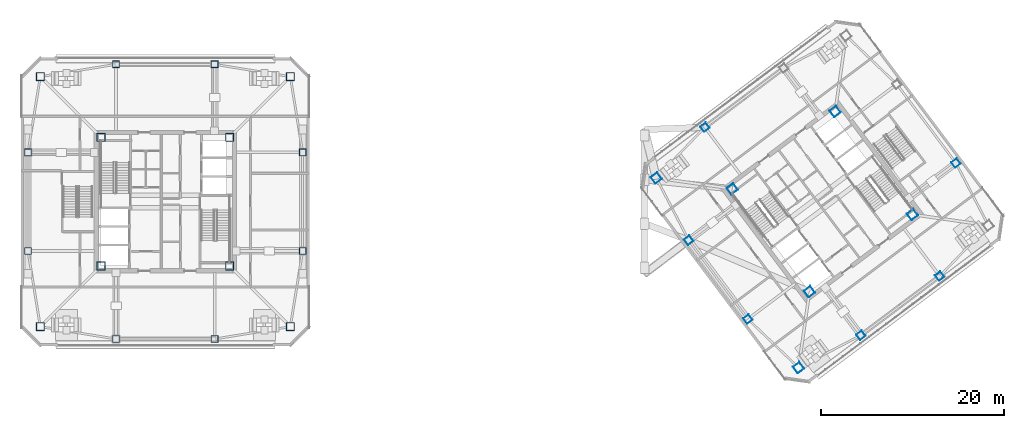
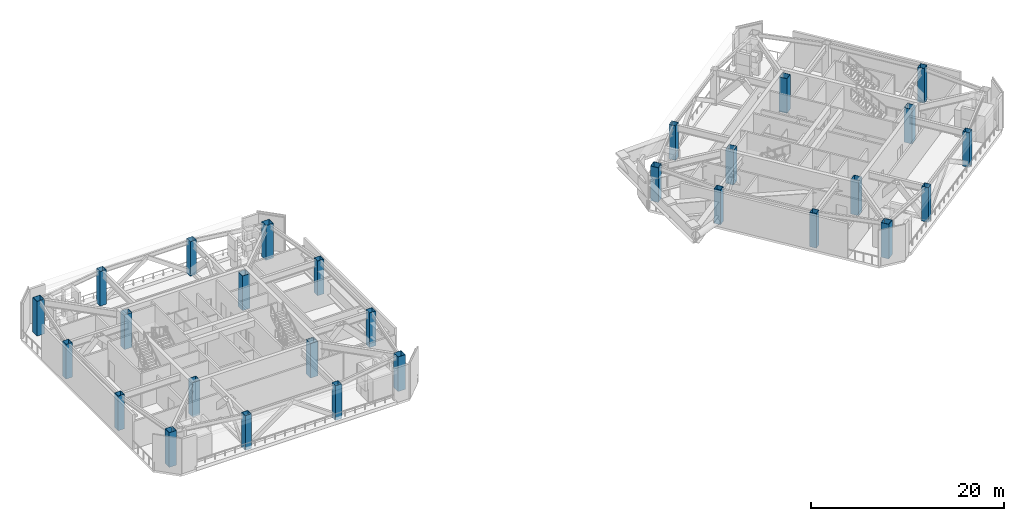
# One storey, part 1 of 15: 28 columns.
"""IFC4 building model written with IfcOpenShell, lengths in metres."""

from ifc_helpers import new_model, si_unit, direction, frame, origin, origin_2d, place, context, subcontext, project, spatial, hollow_rectangle, extrude, material, material_profile, profile_set, type_object, element, save


model = new_model("IFC4")

# Units and contexts
model_context = context("Model", 3, precision=1e-05, world=origin(), true_north=direction((0.0, 1.0)))
body_context = subcontext(model_context, "Body", "Model", "MODEL_VIEW")
ifc_project = project(units=[si_unit("LENGTHUNIT", "METRE"), si_unit("AREAUNIT", "SQUARE_METRE"), si_unit("VOLUMEUNIT", "CUBIC_METRE"), si_unit("PLANEANGLEUNIT", "RADIAN"), si_unit("MASSUNIT", "GRAM", prefix="KILO")], contexts=[model_context])

# Site, building, storey
site_placement = place(None, origin())
site = spatial("IfcSite", under=ifc_project, at=site_placement, CompositionType="ELEMENT")
building_placement = place(site_placement, origin())
building = spatial("IfcBuilding", under=site, at=building_placement, Name="Tashvorn Skyway Center", CompositionType="ELEMENT")
storey_placement = place(building_placement, frame((0.0, 0.0, 246.800048828125)))
storey = spatial("IfcBuildingStorey", under=building, at=storey_placement, Name="L67", CompositionType="ELEMENT", Elevation=246.800048828125)

# Columns
ifc_material = material(Name="Steel ASTM A572 Grade 50", Category="steel")
ifc_material_profile_1 = material_profile(ifc_material, hollow_rectangle(XDim=0.75, YDim=0.75, WallThickness=0.031982421875, at=origin_2d()), Name="BOX750x750x32")
ifc_profile_set_1 = profile_set([ifc_material_profile_1], Name="Steel ASTM A572 Grade 50")
column_type_1 = type_object("IfcColumnType", Name="COL-BOX750x750x32", PredefinedType="COLUMN", material=ifc_profile_set_1)
for number, where, z_axis, x_axis, name in (
    (1, (36.60009765625, 16.949951171875, 0.0), (0.0, 0.0, 1.0), (1.0, 0.0, 0.0), "Tower 1 L67 Perimeter Column FC-S1"),
    (2, (47.39990234375, 16.949951171875, 0.0), (0.0, 0.0, 1.0), (1.0, 0.0, 0.0), "Tower 1 L67 Perimeter Column FC-S2"),
    (3, (57.050048828125, 26.60009765625, 0.0), (0.0, 0.0, 1.0), (1.0, 0.0, 0.0), "Tower 1 L67 Perimeter Column FC-E1"),
    (4, (57.050048828125, 37.39990234375, 0.0), (0.0, 0.0, 1.0), (1.0, 0.0, 0.0), "Tower 1 L67 Perimeter Column FC-E2"),
    (5, (47.39990234375, 47.050048828125, 0.0), (0.0, 0.0, 1.0), (1.0, 0.0, 0.0), "Tower 1 L67 Perimeter Column FC-N1"),
    (6, (36.60009765625, 47.050048828125, 0.0), (0.0, 0.0, 1.0), (1.0, 0.0, 0.0), "Tower 1 L67 Perimeter Column FC-N2"),
    (7, (26.949951171875, 37.39990234375, 0.0), (0.0, 0.0, 1.0), (1.0, 0.0, 0.0), "Tower 1 L67 Perimeter Column FC-W1"),
    (8, (26.949951171875, 26.60009765625, 0.0), (0.0, 0.0, 1.0), (1.0, 0.0, 0.0), "Tower 1 L67 Perimeter Column FC-W2"),
    (9, (118.22998046875, 17.360107421875, 0.0), (0.0, 0.0, 1.0), (0.799999996291, 0.600000004945, 0.0), "Tower 2 L67 Perimeter Column FC-S1"),
    (10, (126.8701171875, 23.840087890625, 0.0), (0.0, 0.0, 1.0), (0.799999996291, 0.600000004945, 0.0), "Tower 2 L67 Perimeter Column FC-S2"),
    (11, (128.639892578125, 36.22998046875, 0.0), (0.0, 0.0, 1.0), (0.799999996291, 0.600000004945, 0.0), "Tower 2 L67 Perimeter Column FC-E1"),
    (12, (101.1298828125, 40.159912109375, 0.0), (0.0, 0.0, 1.0), (0.799999996291, 0.600000004945, 0.0), "Tower 2 L67 Perimeter Column FC-N2"),
    (13, (99.360107421875, 27.77001953125, 0.0), (0.0, 0.0, 1.0), (0.799999996291, 0.600000004945, 0.0), "Tower 2 L67 Perimeter Column FC-W1"),
    (14, (105.840087890625, 19.1298828125, 0.0), (0.0, 0.0, 1.0), (0.799999996291, 0.600000004945, 0.0), "Tower 2 L67 Perimeter Column FC-W2"),
):
    element("IfcColumn", number, at=place(storey_placement, frame(where, z_axis=z_axis, x_axis=x_axis)), inside=storey, type_object=column_type_1, Name=name, PredefinedType="COLUMN", context=body_context, shape_type="SweptSolid", body=[
        extrude(hollow_rectangle(XDim=0.75, YDim=0.75, WallThickness=0.031982421875, at=origin_2d()), origin(), (0.0, 0.0, 1.0), 4.3798828125),
    ])
ifc_material_profile_2 = material_profile(ifc_material, hollow_rectangle(XDim=0.89990234375, YDim=0.89990234375, WallThickness=0.0400390625, at=origin_2d()), Name="BOX900x900x40")
ifc_profile_set_2 = profile_set([ifc_material_profile_2], Name="Steel ASTM A572 Grade 50")
column_type_2 = type_object("IfcColumnType", Name="COL-BOX900x900x40", PredefinedType="COLUMN", material=ifc_profile_set_2)
for number, where, z_axis, x_axis, name in (
    (15, (34.949951171875, 24.949951171875, 0.0), (0.0, 0.0, 1.0), (1.0, 0.0, 0.0), "Tower 1 L67 Core Corner Column CC-SW"),
    (16, (49.050048828125, 24.949951171875, 0.0), (0.0, 0.0, 1.0), (1.0, 0.0, 0.0), "Tower 1 L67 Core Corner Column CC-SE"),
    (17, (49.050048828125, 39.050048828125, 0.0), (0.0, 0.0, 1.0), (1.0, 0.0, 0.0), "Tower 1 L67 Core Corner Column CC-NE"),
    (18, (34.949951171875, 39.050048828125, 0.0), (0.0, 0.0, 1.0), (1.0, 0.0, 0.0), "Tower 1 L67 Core Corner Column CC-NW"),
    (19, (28.300048828125, 18.300048828125, 0.0), (0.0, 0.0, 1.0), (1.0, 0.0, 0.0), "Tower 1 L67 Mega-Column MC-SW"),
    (20, (55.699951171875, 18.300048828125, 0.0), (0.0, 0.0, 1.0), (1.0, 0.0, 0.0), "Tower 1 L67 Mega-Column MC-SE"),
    (21, (55.699951171875, 45.699951171875, 0.0), (0.0, 0.0, 1.0), (1.0, 0.0, 0.0), "Tower 1 L67 Mega-Column MC-NE"),
    (22, (28.300048828125, 45.699951171875, 0.0), (0.0, 0.0, 1.0), (1.0, 0.0, 0.0), "Tower 1 L67 Mega-Column MC-NW"),
    (23, (112.590087890625, 22.1298828125, 0.0), (0.0, 0.0, 1.0), (0.799999996291, 0.600000004945, 0.0), "Tower 2 L67 Core Corner Column CC-SW"),
    (24, (123.8701171875, 30.590087890625, 0.0), (0.0, 0.0, 1.0), (0.799999996291, 0.600000004945, 0.0), "Tower 2 L67 Core Corner Column CC-SE"),
    (25, (115.409912109375, 41.8701171875, 0.0), (0.0, 0.0, 1.0), (0.799999996291, 0.600000004945, 0.0), "Tower 2 L67 Core Corner Column CC-NE"),
    (26, (104.1298828125, 33.409912109375, 0.0), (0.0, 0.0, 1.0), (0.799999996291, 0.600000004945, 0.0), "Tower 2 L67 Core Corner Column CC-NW"),
    (27, (111.39990234375, 13.800048828125, 0.0), (0.0, 0.0, 1.0), (0.799999996291, 0.600000004945, 0.0), "Tower 2 L67 Mega-Column MC-SW"),
    (28, (95.800048828125, 34.60009765625, 0.0), (0.0, 0.0, 1.0), (0.799999996291, 0.600000004945, 0.0), "Tower 2 L67 Mega-Column MC-NW"),
):
    element("IfcColumn", number, at=place(storey_placement, frame(where, z_axis=z_axis, x_axis=x_axis)), inside=storey, type_object=column_type_2, Name=name, PredefinedType="COLUMN", context=body_context, shape_type="SweptSolid", body=[
        extrude(hollow_rectangle(XDim=0.89990234375, YDim=0.89990234375, WallThickness=0.0400390625, at=origin_2d()), origin(), (0.0, 0.0, 1.0), 4.3798828125),
    ])

save(model, "model.ifc")
